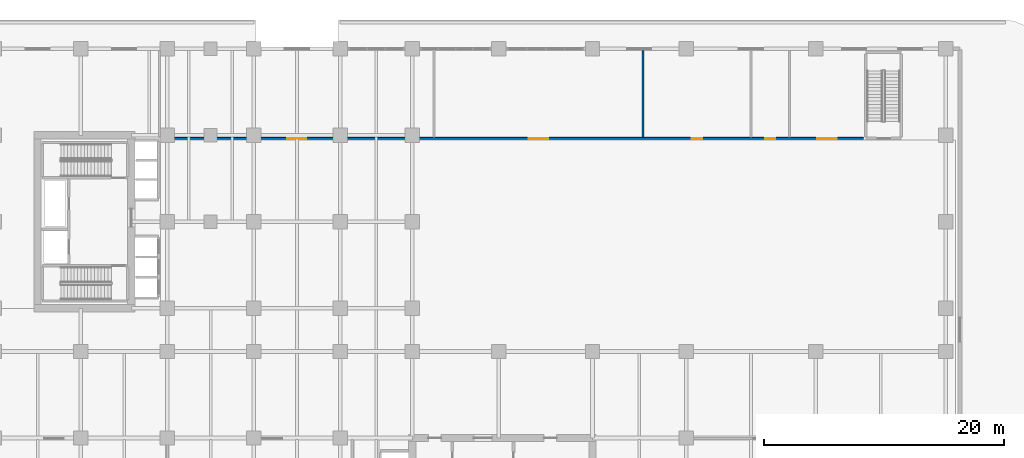
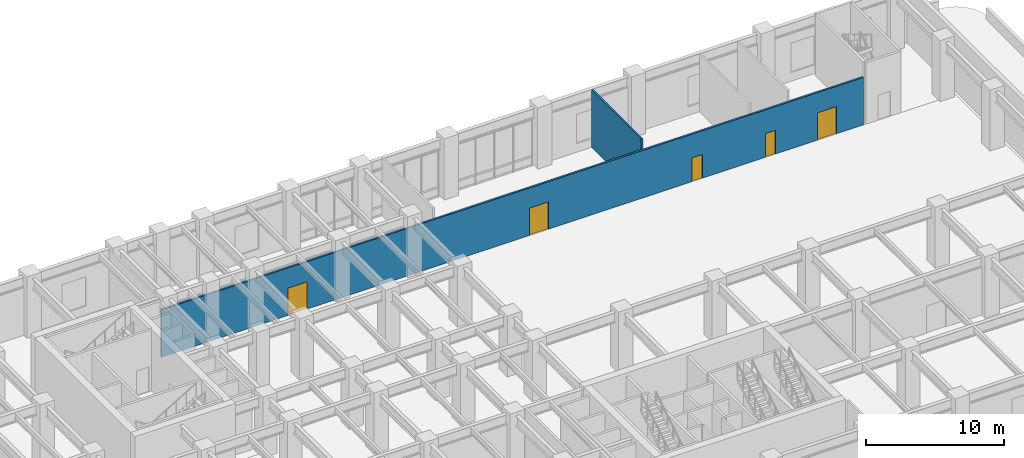
# One storey, part 13 of 20: 5 doors, 2 walls, 5 openings.
"""IFC4 building model written with IfcOpenShell, lengths in metres."""

from ifc_helpers import new_model, si_unit, derived_unit, direction, frame, frame_2d, origin, place, context, subcontext, project, spatial, rectangle, extrude, source, transform, mapped, material, layer, layer_set, type_object, type_shapes, element, fill, save


model = new_model("IFC4")

# Units and contexts
model_context = context("Model", 3, precision=1e-05, world=origin(), true_north=direction((0.0, 1.0)))
body_context = subcontext(model_context, "Body", "Model", "MODEL_VIEW")
ifc_project = project(units=[si_unit("LENGTHUNIT", "METRE"), si_unit("AREAUNIT", "SQUARE_METRE"), si_unit("VOLUMEUNIT", "CUBIC_METRE"), si_unit("PLANEANGLEUNIT", "RADIAN"), si_unit("MASSUNIT", "GRAM", prefix="KILO"), si_unit("THERMODYNAMICTEMPERATUREUNIT", "KELVIN"), si_unit("POWERUNIT", "WATT"), derived_unit("THERMALTRANSMITTANCEUNIT", [(si_unit("POWERUNIT", "WATT"), 1), (si_unit("AREAUNIT", "SQUARE_METRE"), -1), (si_unit("THERMODYNAMICTEMPERATUREUNIT", "KELVIN"), -1)])], contexts=[model_context])

# Site, building, storey
site_placement = place(None, origin())
site = spatial("IfcSite", under=ifc_project, at=site_placement, CompositionType="ELEMENT")
building_placement = place(site_placement, origin())
building = spatial("IfcBuilding", under=site, at=building_placement, Name="Zahravan Archway Hotel and Residences", CompositionType="ELEMENT")
storey_placement = place(building_placement, frame((0.0, 0.0, 16.199951171875)))
storey = spatial("IfcBuildingStorey", under=building, at=storey_placement, Name="L03", CompositionType="ELEMENT", Elevation=16.199951171875)

# Wall, openings, doors
ifc_material_1 = material(Name="Fire-Rated Gypsum & Concrete Block", Category="concrete")
ifc_layer_1 = layer(ifc_material_1, 0.159912109375, Name="Fire-Rated Gypsum & Concrete Block", Category="concrete")
ifc_layer_set_1 = layer_set([ifc_layer_1], Name="Fire-Rated Gypsum & Concrete Block")
wall_type_1 = type_object("IfcWallType", Name="PW-CORR-160", PredefinedType="PARTITIONING", material=ifc_layer_set_1)
wall_1_placement = place(storey_placement, frame((13.840087890625, 39.35009765625, 0.0), z_axis=(0.0, 0.0, 1.0), x_axis=(1.0, 0.0, 0.0)))
wall_1 = element("IfcWall", 1, at=wall_1_placement, inside=storey, type_object=wall_type_1, Name="L03 Partition L03-GN", PredefinedType="PARTITIONING", context=body_context, shape_type="SweptSolid", body=[
    extrude(rectangle(XDim=58.52001953125, YDim=0.159912109375, at=frame_2d((29.260009765625, 0.0))), origin(), (0.0, 0.0, 1.0), 4.18505859375),
])
opening_1_placement = place(wall_1_placement, frame((10.534912109375, 0.0, 0.0)))
opening_1 = element("IfcOpeningElement", 2, at=opening_1_placement, cuts=wall_1, Name="Opening D-P2", PredefinedType="OPENING", context=body_context, shape_type="SweptSolid", body=[
    extrude(rectangle(XDim=1.60009765625, YDim=2.39990234375, at=frame_2d((0.800048828125, 1.199951171875))), frame((0.0, 0.08984375, 0.0), z_axis=(0.0, -1.0, 0.0), x_axis=(1.0, 0.0, 0.0)), (0.0, 0.0, 1.0), 0.179931640625),
])
opening_2_placement = place(wall_1_placement, frame((30.659912109375, 0.0, 0.0)))
opening_2 = element("IfcOpeningElement", 3, at=opening_2_placement, cuts=wall_1, Name="Opening D-P2", PredefinedType="OPENING", context=body_context, shape_type="SweptSolid", body=[
    extrude(rectangle(XDim=1.60009765625, YDim=2.39990234375, at=frame_2d((0.800048828125, 1.199951171875))), frame((0.0, 0.08984375, 0.0), z_axis=(0.0, -1.0, 0.0), x_axis=(1.0, 0.0, 0.0)), (0.0, 0.0, 1.0), 0.179931640625),
])
opening_3_placement = place(wall_1_placement, frame((44.235107421875, 0.0, 0.0)))
opening_3 = element("IfcOpeningElement", 4, at=opening_3_placement, cuts=wall_1, Name="Opening D-B1", PredefinedType="OPENING", context=body_context, shape_type="SweptSolid", body=[
    extrude(rectangle(XDim=0.85009765625, YDim=2.10009765625, at=frame_2d((0.425048828125, 1.050048828125))), frame((0.0, 0.08984375, 0.0), z_axis=(0.0, -1.0, 0.0), x_axis=(1.0, 0.0, 0.0)), (0.0, 0.0, 1.0), 0.179931640625),
])
opening_4_placement = place(wall_1_placement, frame((50.3349609375, 0.0, 0.0)))
opening_4 = element("IfcOpeningElement", 5, at=opening_4_placement, cuts=wall_1, Name="Opening D-B1", PredefinedType="OPENING", context=body_context, shape_type="SweptSolid", body=[
    extrude(rectangle(XDim=0.85009765625, YDim=2.10009765625, at=frame_2d((0.425048828125, 1.050048828125))), frame((0.0, 0.08984375, 0.0), z_axis=(0.0, -1.0, 0.0), x_axis=(1.0, 0.0, 0.0)), (0.0, 0.0, 1.0), 0.179931640625),
])
opening_5_placement = place(wall_1_placement, frame((54.68505859375, 0.0, 0.0)))
opening_5 = element("IfcOpeningElement", 6, at=opening_5_placement, cuts=wall_1, Name="Opening D-P2", PredefinedType="OPENING", context=body_context, shape_type="SweptSolid", body=[
    extrude(rectangle(XDim=1.60009765625, YDim=2.39990234375, at=frame_2d((0.800048828125, 1.199951171875))), frame((0.0, 0.08984375, 0.0), z_axis=(0.0, -1.0, 0.0), x_axis=(1.0, 0.0, 0.0)), (0.0, 0.0, 1.0), 0.179931640625),
])
ifc_material_2 = material(Name="Bronze-Anodized Glazed Aluminium", Category="aluminium")
door_type_1 = type_object("IfcDoorType", Name="ID-PUBLIC-1600", OperationType="DOUBLE_DOOR_SINGLE_SWING", PredefinedType="DOOR", material=ifc_material_2)
shared_shape_1 = source(origin(), body_context, "Body", "SweptSolid", [
    extrude(rectangle(XDim=1.60009765625, YDim=2.39990234375, at=frame_2d((0.800048828125, 1.199951171875))), frame((0.0, 0.02490234375, 0.0), z_axis=(0.0, -1.0, 0.0), x_axis=(1.0, 0.0, 0.0)), (0.0, 0.0, 1.0), 0.050048828125),
])
type_shapes(door_type_1, [shared_shape_1])
door_1_placement = place(opening_1_placement, origin())
door_1 = element("IfcDoor", 7, at=door_1_placement, inside=storey, type_object=door_type_1, Name="L03 Banquet Finishing Kitchen Door", OperationType="DOUBLE_DOOR_SINGLE_SWING", OverallHeight=2.39990234375, OverallWidth=1.60009765625, PredefinedType="DOOR", context=body_context, shape_type="MappedRepresentation", body=[
    mapped(shared_shape_1, transform((0.0, 0.0, 0.0), scale=1.0)),
])
fill(opening_1, door_1)
door_2_placement = place(opening_2_placement, origin())
door_2 = element("IfcDoor", 8, at=door_2_placement, inside=storey, type_object=door_type_1, Name="L03 Bridal & VIP Majlis Door", OperationType="DOUBLE_DOOR_SINGLE_SWING", OverallHeight=2.39990234375, OverallWidth=1.60009765625, PredefinedType="DOOR", context=body_context, shape_type="MappedRepresentation", body=[
    mapped(shared_shape_1, transform((0.0, 0.0, 0.0), scale=1.0)),
])
fill(opening_2, door_2)
door_3_placement = place(opening_5_placement, origin())
door_3 = element("IfcDoor", 9, at=door_3_placement, inside=storey, type_object=door_type_1, Name="L03 Auditorium Green Room Door", OperationType="DOUBLE_DOOR_SINGLE_SWING", OverallHeight=2.39990234375, OverallWidth=1.60009765625, PredefinedType="DOOR", context=body_context, shape_type="MappedRepresentation", body=[
    mapped(shared_shape_1, transform((0.0, 0.0, 0.0), scale=1.0)),
])
fill(opening_5, door_3)
ifc_material_3 = material(Name="Hardwood Veneer Timber", Category="wood")
door_type_2 = type_object("IfcDoorType", Name="ID-BATH-850", OperationType="NOTDEFINED", PredefinedType="DOOR", material=ifc_material_3)
shared_shape_2 = source(origin(), body_context, "Body", "SweptSolid", [
    extrude(rectangle(XDim=0.85009765625, YDim=2.10009765625, at=frame_2d((0.425048828125, 1.050048828125))), frame((0.0, 0.02490234375, 0.0), z_axis=(0.0, -1.0, 0.0), x_axis=(1.0, 0.0, 0.0)), (0.0, 0.0, 1.0), 0.050048828125),
])
type_shapes(door_type_2, [shared_shape_2])
door_4_placement = place(opening_3_placement, origin())
door_4 = element("IfcDoor", 10, at=door_4_placement, inside=storey, type_object=door_type_2, Name="L03 Ballroom Public Restrooms Door", OperationType="SINGLE_SWING_LEFT", OverallHeight=2.10009765625, OverallWidth=0.85009765625, PredefinedType="DOOR", context=body_context, shape_type="MappedRepresentation", body=[
    mapped(shared_shape_2, transform((0.0, 0.0, 0.0), scale=1.0)),
])
fill(opening_3, door_4)
door_5_placement = place(opening_4_placement, origin())
door_5 = element("IfcDoor", 11, at=door_5_placement, inside=storey, type_object=door_type_2, Name="L03 Accessible Restroom Door", OperationType="SINGLE_SWING_RIGHT", OverallHeight=2.10009765625, OverallWidth=0.85009765625, PredefinedType="DOOR", context=body_context, shape_type="MappedRepresentation", body=[
    mapped(shared_shape_2, transform((0.0, 0.0, 0.0), scale=1.0)),
])
fill(opening_4, door_5)

# Wall
ifc_material_4 = material(Name="Moisture-Resistant Blockwork", Category="masonry")
ifc_layer_2 = layer(ifc_material_4, 0.139892578125, Name="Moisture-Resistant Blockwork", Category="masonry")
ifc_layer_set_2 = layer_set([ifc_layer_2], Name="Moisture-Resistant Blockwork")
wall_type_2 = type_object("IfcWallType", Name="PW-WET-140", PredefinedType="PARTITIONING", material=ifc_layer_set_2)
wall_2_placement = place(storey_placement, frame((54.0, 39.43994140625, 0.0), z_axis=(0.0, 0.0, 1.0), x_axis=(0.0, 1.0, 0.0)))
element("IfcWall", 12, at=wall_2_placement, inside=storey, type_object=wall_type_2, Name="L03 Partition L03-NV2", PredefinedType="PARTITIONING", context=body_context, shape_type="SweptSolid", body=[
    extrude(rectangle(XDim=7.192138671875, YDim=0.139892578125, at=frame_2d((3.59619140625, 0.0))), origin(), (0.0, 0.0, 1.0), 5.10009765625),
])

save(model, "model.ifc")
